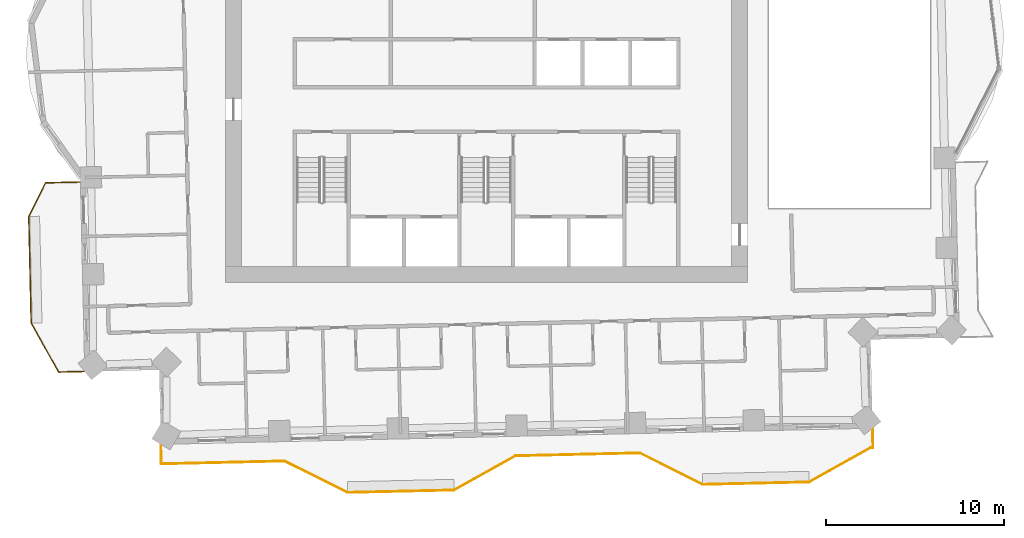
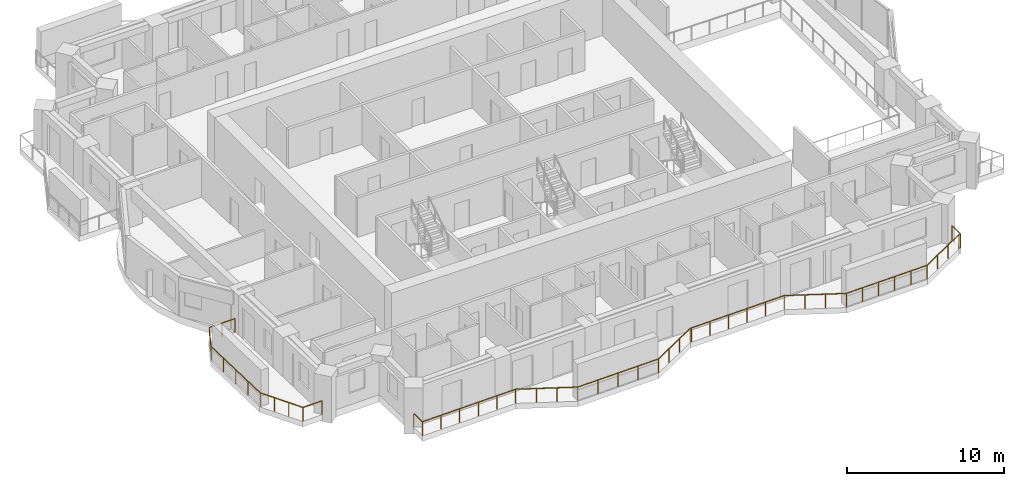
# One storey, part 11 of 14: 2 railings.
"""IFC4 building model written with IfcOpenShell, lengths in metres."""

from ifc_helpers import new_model, si_unit, direction, frame, origin, origin_2d, place, context, subcontext, project, spatial, rectangle, extrude, material, type_object, element, save


model = new_model("IFC4")

# Units and contexts
model_context = context("Model", 3, precision=1e-05, world=origin(), true_north=direction((0.0, 1.0)))
body_context = subcontext(model_context, "Body", "Model", "MODEL_VIEW")
ifc_project = project(units=[si_unit("LENGTHUNIT", "METRE"), si_unit("AREAUNIT", "SQUARE_METRE"), si_unit("VOLUMEUNIT", "CUBIC_METRE"), si_unit("PLANEANGLEUNIT", "RADIAN"), si_unit("MASSUNIT", "GRAM", prefix="KILO")], contexts=[model_context])

# Site, building, storey
site_placement = place(None, origin())
site = spatial("IfcSite", under=ifc_project, at=site_placement, CompositionType="ELEMENT")
building_placement = place(site_placement, origin())
building = spatial("IfcBuilding", under=site, at=building_placement, Name="Mangrove Gate Tower", CompositionType="ELEMENT")
storey_placement = place(building_placement, frame((0.0, 0.0, 182.5)))
storey = spatial("IfcBuildingStorey", under=building, at=storey_placement, Name="L46", CompositionType="ELEMENT", Elevation=182.5)

# Railings
ifc_material = material(Name="Stainless steel grade 316 with laminated glass infill", Category="steel")
railing_type = type_object("IfcRailingType", Name="Balcony guard 1100", PredefinedType="GUARDRAIL", material=ifc_material)
railing_1_placement = place(storey_placement, frame((-22.912109375, -6.033935546875, 0.0)))
element("IfcRailing", 1, at=railing_1_placement, inside=storey, type_object=railing_type, Name="GUARD L46 W2", PredefinedType="GUARDRAIL", context=body_context, shape_type="SweptSolid", body=[
    extrude(rectangle(XDim=0.048095703125, YDim=0.048095703125, at=origin_2d()), frame((0.0, 0.0, 1.076171875), z_axis=(-0.999749396593, -0.022386246031, 0.0), x_axis=(0.022386246031, -0.999749396593, 0.0)), (0.0, 0.0, 1.0), 1.91943359375),
    extrude(rectangle(XDim=0.048095703125, YDim=0.048095703125, at=origin_2d()), frame((-1.9189453125, -0.04296875, 1.076171875), z_axis=(-0.446983354903, -0.894542274261, 0.0), x_axis=(0.894542274261, -0.446983354903, 0.0)), (0.0, 0.0, 1.0), 2.120849609375),
    extrude(rectangle(XDim=0.048095703125, YDim=0.048095703125, at=origin_2d()), frame((-2.866943359375, -1.940185546875, 1.076171875), z_axis=(0.022666865795, -0.999743073592, 0.0), x_axis=(0.999743073592, 0.022666865795, 0.0)), (0.0, 0.0, 1.0), 5.999267578125),
    extrude(rectangle(XDim=0.048095703125, YDim=0.048095703125, at=origin_2d()), frame((-2.73095703125, -7.93798828125, 1.076171875), z_axis=(0.48738255813, -0.873188548958, 0.0), x_axis=(0.873188548958, 0.48738255813, 0.0)), (0.0, 0.0, 1.0), 3.167724609375),
    extrude(rectangle(XDim=0.048095703125, YDim=0.048095703125, at=origin_2d()), frame((-1.18701171875, -10.7041015625, 1.076171875), z_axis=(0.999734197584, 0.023055025055, 0.0), x_axis=(-0.023055025055, 0.999734197584, 0.0)), (0.0, 0.0, 1.0), 1.4296875),
    extrude(rectangle(XDim=0.0419921875, YDim=0.0419921875, at=origin_2d()), origin(), (0.0, 0.0, 1.0), 1.052001953125),
    extrude(rectangle(XDim=0.0419921875, YDim=0.0419921875, at=origin_2d()), frame((-0.95947265625, -0.021484375, 0.0)), (0.0, 0.0, 1.0), 1.052001953125),
    extrude(rectangle(XDim=0.0419921875, YDim=0.0419921875, at=origin_2d()), frame((-1.9189453125, -0.04296875, 0.0)), (0.0, 0.0, 1.0), 1.052001953125),
    extrude(rectangle(XDim=0.0419921875, YDim=0.0419921875, at=origin_2d()), frame((-2.39306640625, -0.99169921875, 0.0)), (0.0, 0.0, 1.0), 1.052001953125),
    extrude(rectangle(XDim=0.0419921875, YDim=0.0419921875, at=origin_2d()), frame((-2.866943359375, -1.940185546875, 0.0)), (0.0, 0.0, 1.0), 1.052001953125),
    extrude(rectangle(XDim=0.0419921875, YDim=0.0419921875, at=origin_2d()), frame((-2.8330078125, -3.439697265625, 0.0)), (0.0, 0.0, 1.0), 1.052001953125),
    extrude(rectangle(XDim=0.0419921875, YDim=0.0419921875, at=origin_2d()), frame((-2.798828125, -4.93896484375, 0.0)), (0.0, 0.0, 1.0), 1.052001953125),
    extrude(rectangle(XDim=0.0419921875, YDim=0.0419921875, at=origin_2d()), frame((-2.764892578125, -6.4384765625, 0.0)), (0.0, 0.0, 1.0), 1.052001953125),
    extrude(rectangle(XDim=0.0419921875, YDim=0.0419921875, at=origin_2d()), frame((-2.73095703125, -7.93798828125, 0.0)), (0.0, 0.0, 1.0), 1.052001953125),
    extrude(rectangle(XDim=0.0419921875, YDim=0.0419921875, at=origin_2d()), frame((-2.21630859375, -8.860107421875, 0.0)), (0.0, 0.0, 1.0), 1.052001953125),
    extrude(rectangle(XDim=0.0419921875, YDim=0.0419921875, at=origin_2d()), frame((-1.70166015625, -9.781982421875, 0.0)), (0.0, 0.0, 1.0), 1.052001953125),
    extrude(rectangle(XDim=0.0419921875, YDim=0.0419921875, at=origin_2d()), frame((-1.18701171875, -10.7041015625, 0.0)), (0.0, 0.0, 1.0), 1.052001953125),
    extrude(rectangle(XDim=0.0419921875, YDim=0.0419921875, at=origin_2d()), frame((0.2421875, -10.671142578125, 0.0)), (0.0, 0.0, 1.0), 1.052001953125),
])
railing_2_placement = place(storey_placement, frame((-18.3349609375, -20.847900390625, 0.0)))
element("IfcRailing", 2, at=railing_2_placement, inside=storey, type_object=railing_type, Name="GUARD L46 S1", PredefinedType="GUARDRAIL", context=body_context, shape_type="SweptSolid", body=[
    extrude(rectangle(XDim=0.048095703125, YDim=0.048095703125, at=origin_2d()), frame((0.0, 0.0, 1.076171875), z_axis=(0.022564497502, -0.999745389313, 0.0), x_axis=(0.999745389313, 0.022564497502, 0.0)), (0.0, 0.0, 1.0), 1.060302734375),
    extrude(rectangle(XDim=0.048095703125, YDim=0.048095703125, at=origin_2d()), frame((0.02392578125, -1.06005859375, 1.076171875), z_axis=(0.999740926645, 0.022761361797, 0.0), x_axis=(-0.022761361797, 0.999740926645, 0.0)), (0.0, 0.0, 1.0), 6.939697265625),
    extrude(rectangle(XDim=0.048095703125, YDim=0.048095703125, at=origin_2d()), frame((6.9619140625, -0.902099609375, 1.076171875), z_axis=(0.894525821107, -0.447016280881, 0.0), x_axis=(0.447016280881, 0.894525821107, 0.0)), (0.0, 0.0, 1.0), 3.959716796875),
    extrude(rectangle(XDim=0.048095703125, YDim=0.048095703125, at=origin_2d()), frame((10.50390625, -2.672119140625, 1.076171875), z_axis=(0.999743094499, 0.022665943652, 0.0), x_axis=(-0.022665943652, 0.999743094499, 0.0)), (0.0, 0.0, 1.0), 5.99951171875),
    extrude(rectangle(XDim=0.048095703125, YDim=0.048095703125, at=origin_2d()), frame((16.501953125, -2.5361328125, 1.076171875), z_axis=(0.87325689943, 0.48726008209, 0.0), x_axis=(-0.48726008209, 0.87325689943, 0.0)), (0.0, 0.0, 1.0), 3.958740234375),
    extrude(rectangle(XDim=0.048095703125, YDim=0.048095703125, at=origin_2d()), frame((19.958984375, -0.607177734375, 1.076171875), z_axis=(0.999759159015, 0.021945932759, 0.0), x_axis=(-0.021945932759, 0.999759159015, 0.0)), (0.0, 0.0, 1.0), 0.10009765625),
    extrude(rectangle(XDim=0.048095703125, YDim=0.048095703125, at=origin_2d()), frame((20.05908203125, -0.60498046875, 1.076171875), z_axis=(0.999745149532, 0.022575118758, 0.0), x_axis=(-0.022575118758, 0.999745149532, 0.0)), (0.0, 0.0, 1.0), 6.899658203125),
    extrude(rectangle(XDim=0.048095703125, YDim=0.048095703125, at=origin_2d()), frame((26.95703125, -0.44921875, 1.076171875), z_axis=(0.894501186021, -0.447065574839, 0.0), x_axis=(0.447065574839, 0.894501186021, 0.0)), (0.0, 0.0, 1.0), 3.958740234375),
    extrude(rectangle(XDim=0.048095703125, YDim=0.048095703125, at=origin_2d()), frame((30.498046875, -2.218994140625, 1.076171875), z_axis=(0.999743178102, 0.022662255828, 0.0), x_axis=(-0.022662255828, 0.999743178102, 0.0)), (0.0, 0.0, 1.0), 6.00048828125),
    extrude(rectangle(XDim=0.048095703125, YDim=0.048095703125, at=origin_2d()), frame((36.4970703125, -2.0830078125, 1.076171875), z_axis=(0.873242256246, 0.487286324359, 0.0), x_axis=(-0.487286324359, 0.873242256246, 0.0)), (0.0, 0.0, 1.0), 3.95849609375),
    extrude(rectangle(XDim=0.048095703125, YDim=0.048095703125, at=origin_2d()), frame((39.953857421875, -0.154052734375, 1.076171875), z_axis=(0.999611730575, 0.027863741619, 0.0), x_axis=(-0.027863741619, 0.999611730575, 0.0)), (0.0, 0.0, 1.0), 0.14013671875),
    extrude(rectangle(XDim=0.048095703125, YDim=0.048095703125, at=origin_2d()), frame((40.093994140625, -0.150146484375, 1.076171875), z_axis=(-0.022585293253, 0.999744919731, 0.0), x_axis=(-0.999744919731, -0.022585293253, 0.0)), (0.0, 0.0, 1.0), 1.059326171875),
    extrude(rectangle(XDim=0.0419921875, YDim=0.0419921875, at=origin_2d()), origin(), (0.0, 0.0, 1.0), 1.052001953125),
    extrude(rectangle(XDim=0.0419921875, YDim=0.0419921875, at=origin_2d()), frame((0.02392578125, -1.06005859375, 0.0)), (0.0, 0.0, 1.0), 1.052001953125),
    extrude(rectangle(XDim=0.0419921875, YDim=0.0419921875, at=origin_2d()), frame((1.41162109375, -1.028564453125, 0.0)), (0.0, 0.0, 1.0), 1.052001953125),
    extrude(rectangle(XDim=0.0419921875, YDim=0.0419921875, at=origin_2d()), frame((2.799072265625, -0.996826171875, 0.0)), (0.0, 0.0, 1.0), 1.052001953125),
    extrude(rectangle(XDim=0.0419921875, YDim=0.0419921875, at=origin_2d()), frame((4.186767578125, -0.96533203125, 0.0)), (0.0, 0.0, 1.0), 1.052001953125),
    extrude(rectangle(XDim=0.0419921875, YDim=0.0419921875, at=origin_2d()), frame((5.57421875, -0.93359375, 0.0)), (0.0, 0.0, 1.0), 1.052001953125),
    extrude(rectangle(XDim=0.0419921875, YDim=0.0419921875, at=origin_2d()), frame((6.9619140625, -0.902099609375, 0.0)), (0.0, 0.0, 1.0), 1.052001953125),
    extrude(rectangle(XDim=0.0419921875, YDim=0.0419921875, at=origin_2d()), frame((8.142578125, -1.4921875, 0.0)), (0.0, 0.0, 1.0), 1.052001953125),
    extrude(rectangle(XDim=0.0419921875, YDim=0.0419921875, at=origin_2d()), frame((9.3232421875, -2.08203125, 0.0)), (0.0, 0.0, 1.0), 1.052001953125),
    extrude(rectangle(XDim=0.0419921875, YDim=0.0419921875, at=origin_2d()), frame((10.50390625, -2.672119140625, 0.0)), (0.0, 0.0, 1.0), 1.052001953125),
    extrude(rectangle(XDim=0.0419921875, YDim=0.0419921875, at=origin_2d()), frame((12.00341796875, -2.63818359375, 0.0)), (0.0, 0.0, 1.0), 1.052001953125),
    extrude(rectangle(XDim=0.0419921875, YDim=0.0419921875, at=origin_2d()), frame((13.5029296875, -2.60400390625, 0.0)), (0.0, 0.0, 1.0), 1.052001953125),
    extrude(rectangle(XDim=0.0419921875, YDim=0.0419921875, at=origin_2d()), frame((15.00244140625, -2.570068359375, 0.0)), (0.0, 0.0, 1.0), 1.052001953125),
    extrude(rectangle(XDim=0.0419921875, YDim=0.0419921875, at=origin_2d()), frame((16.501953125, -2.5361328125, 0.0)), (0.0, 0.0, 1.0), 1.052001953125),
    extrude(rectangle(XDim=0.0419921875, YDim=0.0419921875, at=origin_2d()), frame((17.654296875, -1.89306640625, 0.0)), (0.0, 0.0, 1.0), 1.052001953125),
    extrude(rectangle(XDim=0.0419921875, YDim=0.0419921875, at=origin_2d()), frame((18.806640625, -1.250244140625, 0.0)), (0.0, 0.0, 1.0), 1.052001953125),
    extrude(rectangle(XDim=0.0419921875, YDim=0.0419921875, at=origin_2d()), frame((19.958984375, -0.607177734375, 0.0)), (0.0, 0.0, 1.0), 1.052001953125),
    extrude(rectangle(XDim=0.0419921875, YDim=0.0419921875, at=origin_2d()), frame((20.05908203125, -0.60498046875, 0.0)), (0.0, 0.0, 1.0), 1.052001953125),
    extrude(rectangle(XDim=0.0419921875, YDim=0.0419921875, at=origin_2d()), frame((21.438720703125, -0.57373046875, 0.0)), (0.0, 0.0, 1.0), 1.052001953125),
    extrude(rectangle(XDim=0.0419921875, YDim=0.0419921875, at=origin_2d()), frame((22.818359375, -0.542724609375, 0.0)), (0.0, 0.0, 1.0), 1.052001953125),
    extrude(rectangle(XDim=0.0419921875, YDim=0.0419921875, at=origin_2d()), frame((24.19775390625, -0.511474609375, 0.0)), (0.0, 0.0, 1.0), 1.052001953125),
    extrude(rectangle(XDim=0.0419921875, YDim=0.0419921875, at=origin_2d()), frame((25.577392578125, -0.48046875, 0.0)), (0.0, 0.0, 1.0), 1.052001953125),
    extrude(rectangle(XDim=0.0419921875, YDim=0.0419921875, at=origin_2d()), frame((26.95703125, -0.44921875, 0.0)), (0.0, 0.0, 1.0), 1.052001953125),
    extrude(rectangle(XDim=0.0419921875, YDim=0.0419921875, at=origin_2d()), frame((28.137451171875, -1.0390625, 0.0)), (0.0, 0.0, 1.0), 1.052001953125),
    extrude(rectangle(XDim=0.0419921875, YDim=0.0419921875, at=origin_2d()), frame((29.317626953125, -1.629150390625, 0.0)), (0.0, 0.0, 1.0), 1.052001953125),
    extrude(rectangle(XDim=0.0419921875, YDim=0.0419921875, at=origin_2d()), frame((30.498046875, -2.218994140625, 0.0)), (0.0, 0.0, 1.0), 1.052001953125),
    extrude(rectangle(XDim=0.0419921875, YDim=0.0419921875, at=origin_2d()), frame((31.69775390625, -2.19189453125, 0.0)), (0.0, 0.0, 1.0), 1.052001953125),
    extrude(rectangle(XDim=0.0419921875, YDim=0.0419921875, at=origin_2d()), frame((32.897705078125, -2.16455078125, 0.0)), (0.0, 0.0, 1.0), 1.052001953125),
    extrude(rectangle(XDim=0.0419921875, YDim=0.0419921875, at=origin_2d()), frame((34.097412109375, -2.137451171875, 0.0)), (0.0, 0.0, 1.0), 1.052001953125),
    extrude(rectangle(XDim=0.0419921875, YDim=0.0419921875, at=origin_2d()), frame((35.29736328125, -2.110107421875, 0.0)), (0.0, 0.0, 1.0), 1.052001953125),
    extrude(rectangle(XDim=0.0419921875, YDim=0.0419921875, at=origin_2d()), frame((36.4970703125, -2.0830078125, 0.0)), (0.0, 0.0, 1.0), 1.052001953125),
    extrude(rectangle(XDim=0.0419921875, YDim=0.0419921875, at=origin_2d()), frame((37.6494140625, -1.43994140625, 0.0)), (0.0, 0.0, 1.0), 1.052001953125),
    extrude(rectangle(XDim=0.0419921875, YDim=0.0419921875, at=origin_2d()), frame((38.801513671875, -0.797119140625, 0.0)), (0.0, 0.0, 1.0), 1.052001953125),
    extrude(rectangle(XDim=0.0419921875, YDim=0.0419921875, at=origin_2d()), frame((39.953857421875, -0.154052734375, 0.0)), (0.0, 0.0, 1.0), 1.052001953125),
    extrude(rectangle(XDim=0.0419921875, YDim=0.0419921875, at=origin_2d()), frame((40.093994140625, -0.150146484375, 0.0)), (0.0, 0.0, 1.0), 1.052001953125),
    extrude(rectangle(XDim=0.0419921875, YDim=0.0419921875, at=origin_2d()), frame((40.070068359375, 0.908935546875, 0.0)), (0.0, 0.0, 1.0), 1.052001953125),
])

save(model, "model.ifc")
